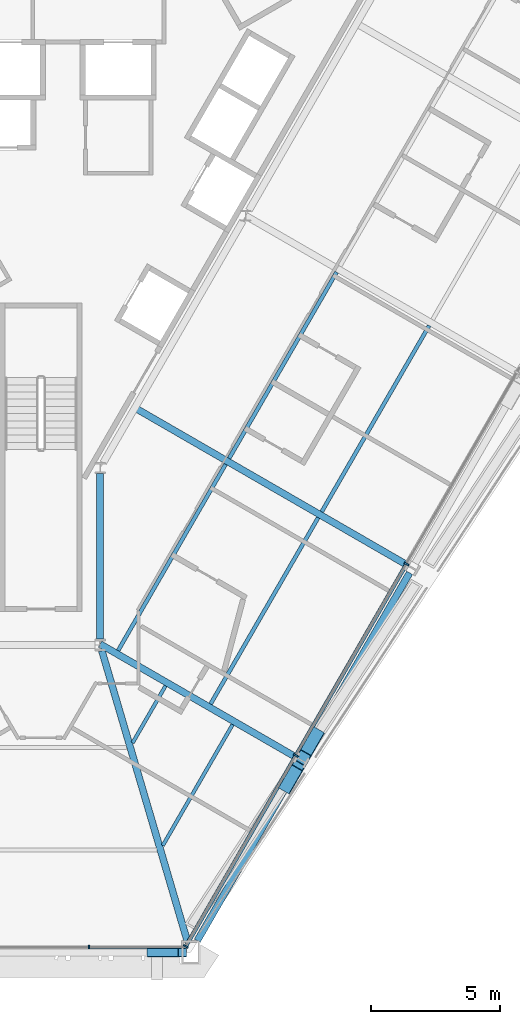
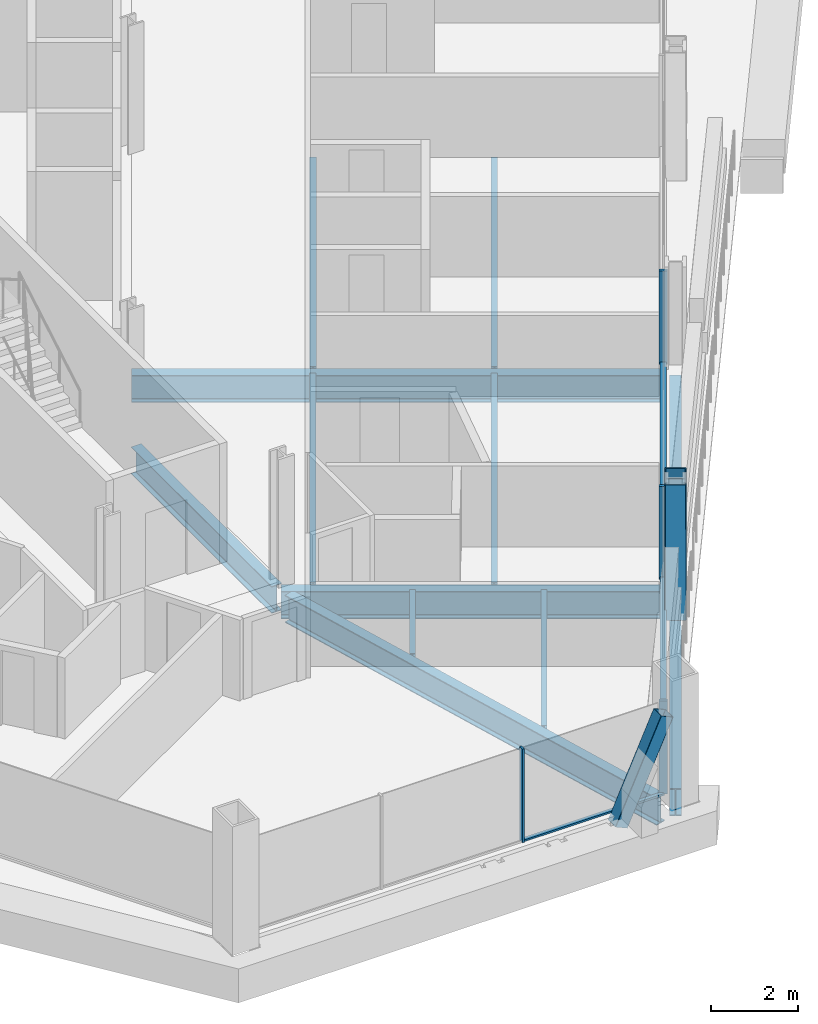
# One storey, part 5 of 18: 12 beams, 10 members, 2 elements without a shape of their own.
"""IFC4 building model written with IfcOpenShell, lengths in metres."""

from ifc_helpers import new_model, si_unit, direction, frame, origin, origin_2d, place, context, subcontext, project, spatial, rectangle, hollow_rectangle, i_section, extrude, material, material_profile, profile_set, type_object, element, aggregate, save


model = new_model("IFC4")

# Units and contexts
model_context = context("Model", 3, precision=1e-05, world=origin(), true_north=direction((0.0, 1.0)))
body_context = subcontext(model_context, "Body", "Model", "MODEL_VIEW")
ifc_project = project(units=[si_unit("LENGTHUNIT", "METRE"), si_unit("AREAUNIT", "SQUARE_METRE"), si_unit("VOLUMEUNIT", "CUBIC_METRE"), si_unit("PLANEANGLEUNIT", "RADIAN"), si_unit("MASSUNIT", "GRAM", prefix="KILO")], contexts=[model_context])

# Site, building, storey
site_placement = place(None, origin())
site = spatial("IfcSite", under=ifc_project, at=site_placement, CompositionType="ELEMENT")
building_placement = place(site_placement, origin())
building = spatial("IfcBuilding", under=site, at=building_placement, Name="Verrane Prism Tower", CompositionType="ELEMENT")
storey_placement = place(building_placement, frame((0.0, 0.0, 83.60009765625)))
storey = spatial("IfcBuildingStorey", under=building, at=storey_placement, Name="L19", CompositionType="ELEMENT", Elevation=83.60009765625)

# Member
ifc_material_1 = material(Name="Steel A500 Grade C", Category="steel")
ifc_material_profile_1 = material_profile(ifc_material_1, hollow_rectangle(XDim=0.355712890625, YDim=0.355712890625, WallThickness=0.0126953125, InnerFilletRadius=0.00634765625, OuterFilletRadius=0.01904296875, at=origin_2d()), Name="HSS14x14x1/2")
ifc_profile_set_1 = profile_set([ifc_material_profile_1], Name="Steel A500 Grade C")
member_type_1 = type_object("IfcMemberType", Name="Chamfer brace HSS14x14x1/2", PredefinedType="BRACE", material=ifc_profile_set_1)
member_1_placement = place(storey_placement, frame((4.291259765625, -33.260009765625, -0.2451171875), z_axis=(0.410154545485, 0.0, 0.912016035395), x_axis=(0.0, 1.0, 0.0)))
element("IfcMember", 1, at=member_1_placement, inside=storey, type_object=member_type_1, Name="Chamfer brace S0 L19", PredefinedType="BRACE", context=body_context, shape_type="SweptSolid", body=[
    extrude(hollow_rectangle(XDim=0.355712890625, YDim=0.355712890625, WallThickness=0.0126953125, InnerFilletRadius=0.00634765625, OuterFilletRadius=0.01904296875, at=origin_2d()), origin(), (0.0, 0.0, 1.0), 2.947021484375),
])

# Beams
ifc_material_2 = material(Name="Steel A992", Category="steel")
ifc_material_profile_2 = material_profile(ifc_material_2, i_section(OverallWidth=0.2666015625, OverallDepth=0.7568359375, WebThickness=0.013916015625, FlangeThickness=0.019287109375, FilletRadius=0.0166015625, at=origin_2d()), Name="W30x108")
ifc_profile_set_2 = profile_set([ifc_material_profile_2], Name="Steel A992")
beam_type_1 = type_object("IfcBeamType", Name="Core ring girder W30x108", PredefinedType="BEAM", material=ifc_profile_set_2)
beam_1_placement = place(storey_placement, frame((2.300048828125, -21.07275390625, -0.628662109375), z_axis=(0.0, 1.0, 0.0), x_axis=(-1.0, 0.0, 0.0)))
element("IfcBeam", 2, at=beam_1_placement, inside=storey, type_object=beam_type_1, Name="Core ring girder L19", PredefinedType="BEAM", context=body_context, shape_type="SweptSolid", body=[
    extrude(i_section(OverallWidth=0.2666015625, OverallDepth=0.7568359375, WebThickness=0.013916015625, FlangeThickness=0.019287109375, FilletRadius=0.0166015625, at=origin_2d()), origin(), (0.0, 0.0, 1.0), 6.4443359375),
])
ifc_material_3 = material(Name="Steel A992", Category="steel")
ifc_material_profile_3 = material_profile(ifc_material_3, i_section(OverallWidth=0.2666015625, OverallDepth=0.76708984375, WebThickness=0.014892578125, FlangeThickness=0.023681640625, FilletRadius=0.0166015625, at=origin_2d()), Name="W30x124")
ifc_profile_set_3 = profile_set([ifc_material_profile_3], Name="Steel A992")
beam_type_2 = type_object("IfcBeamType", Name="Corner girder W30x124", PredefinedType="BEAM", material=ifc_profile_set_3)
beam_2_placement = place(storey_placement, frame((5.6875, -32.809814453125, -0.603515625), z_axis=(-0.282337147907, 0.959315242718, 0.0), x_axis=(-0.959315242718, -0.282337147907, 0.0)))
element("IfcBeam", 3, at=beam_2_placement, inside=storey, type_object=beam_type_2, Name="Corner girder L19", PredefinedType="BEAM", context=body_context, shape_type="SweptSolid", body=[
    extrude(i_section(OverallWidth=0.2666015625, OverallDepth=0.76708984375, WebThickness=0.014892578125, FlangeThickness=0.023681640625, FilletRadius=0.0166015625, at=origin_2d()), origin(), (0.0, 0.0, 1.0), 11.760986328125),
])

# Members
ifc_material_4 = material(Name="Steel A1085 Grade A", Category="steel")
ifc_material_profile_4 = material_profile(ifc_material_4, hollow_rectangle(XDim=0.508056640625, YDim=0.508056640625, WallThickness=0.025390625, InnerFilletRadius=0.0126953125, OuterFilletRadius=0.0380859375, at=origin_2d()), Name="HSS20x20x1")
ifc_profile_set_4 = profile_set([ifc_material_profile_4], Name="Steel A1085 Grade A")
member_type_2 = type_object("IfcMemberType", Name="Facade brace HSS20x20x1", PredefinedType="BRACE", material=ifc_profile_set_4)
member_2_placement = place(storey_placement, frame((9.56396484375, -26.771240234375, -0.24267578125), z_axis=(0.159367501324, 0.275044764359, 0.948130991541), x_axis=(-0.865247457204, 0.501345028701, 0.0)))
element("IfcMember", 4, at=member_2_placement, inside=storey, type_object=member_type_2, Name="Facade brace SE0 L19", PredefinedType="BRACE", context=body_context, shape_type="SweptSolid", body=[
    extrude(hollow_rectangle(XDim=0.508056640625, YDim=0.508056640625, WallThickness=0.025390625, InnerFilletRadius=0.0126953125, OuterFilletRadius=0.0380859375, at=origin_2d()), origin(), (0.0, 0.0, 1.0), 3.2353515625),
])
member_3_placement = place(storey_placement, frame((10.697998046875, -24.806640625, -0.24267578125), z_axis=(-0.157308607487, -0.273534218108, 0.948911499316), x_axis=(0.866870102671, -0.498534076163, 0.0)))
element("IfcMember", 5, at=member_3_placement, inside=storey, type_object=member_type_2, Name="Facade brace SE1 L19", PredefinedType="BRACE", context=body_context, shape_type="SweptSolid", body=[
    extrude(hollow_rectangle(XDim=0.508056640625, YDim=0.508056640625, WallThickness=0.025390625, InnerFilletRadius=0.0126953125, OuterFilletRadius=0.0380859375, at=origin_2d()), origin(), (0.0, 0.0, 1.0), 3.232666015625),
])

# Beams
ifc_material_5 = material(Name="Steel A992", Category="steel")
ifc_material_profile_5 = material_profile(ifc_material_5, i_section(OverallWidth=0.140380859375, OverallDepth=0.40380859375, WebThickness=0.007080078125, FlangeThickness=0.01123046875, FilletRadius=0.01025390625, at=origin_2d()), Name="W16x31")
ifc_profile_set_5 = profile_set([ifc_material_profile_5], Name="Steel A992")
beam_type_3 = type_object("IfcBeamType", Name="Floor beam W16x31", PredefinedType="BEAM", material=ifc_profile_set_5)
beam_3_placement = place(storey_placement, frame((4.73681640625, -29.107177734375, -0.362060546875), z_axis=(0.500003687357, 0.866023274877, 0.0), x_axis=(-0.866023274877, 0.500003687357, 0.0)))
element("IfcBeam", 6, at=beam_3_placement, inside=storey, type_object=beam_type_3, Name="Floor beam L19", PredefinedType="BEAM", context=body_context, shape_type="SweptSolid", body=[
    extrude(i_section(OverallWidth=0.140380859375, OverallDepth=0.40380859375, WebThickness=0.007080078125, FlangeThickness=0.01123046875, FilletRadius=0.01025390625, at=origin_2d()), origin(), (0.0, 0.0, 1.0), 5.435546875),
])
beam_4_placement = place(storey_placement, frame((3.5615234375, -25.11376953125, -0.362060546875), z_axis=(0.500019079056, 0.866014388206, 0.0), x_axis=(-0.866014388206, 0.500019079056, 0.0)))
element("IfcBeam", 7, at=beam_4_placement, inside=storey, type_object=beam_type_3, Name="Floor beam L19", PredefinedType="BEAM", context=body_context, shape_type="SweptSolid", body=[
    extrude(i_section(OverallWidth=0.140380859375, OverallDepth=0.40380859375, WebThickness=0.007080078125, FlangeThickness=0.01123046875, FilletRadius=0.01025390625, at=origin_2d()), origin(), (0.0, 0.0, 1.0), 2.56494140625),
])
ifc_material_6 = material(Name="Steel A992", Category="steel")
ifc_material_profile_6 = material_profile(ifc_material_6, i_section(OverallWidth=0.15234375, OverallDepth=0.449462890625, WebThickness=0.007568359375, FlangeThickness=0.0107421875, FilletRadius=0.01025390625, at=origin_2d()), Name="W18x35")
ifc_profile_set_6 = profile_set([ifc_material_profile_6], Name="Steel A992")
beam_type_4 = type_object("IfcBeamType", Name="Floor beam W18x35", PredefinedType="BEAM", material=ifc_profile_set_6)
beam_5_placement = place(storey_placement, frame((6.598388671875, -23.59716796875, -0.385009765625), z_axis=(0.50000104701, 0.866024799292, 0.0), x_axis=(-0.866024799292, 0.50000104701, 0.0)))
element("IfcBeam", 8, at=beam_5_placement, inside=storey, type_object=beam_type_4, Name="Floor beam L19", PredefinedType="BEAM", context=body_context, shape_type="SweptSolid", body=[
    extrude(i_section(OverallWidth=0.15234375, OverallDepth=0.449462890625, WebThickness=0.007568359375, FlangeThickness=0.0107421875, FilletRadius=0.01025390625, at=origin_2d()), origin(), (0.0, 0.0, 1.0), 8.36962890625),
])
beam_6_placement = place(storey_placement, frame((2.9990234375, -21.519287109375, -0.385009765625), z_axis=(0.499998569178, 0.866026229868, 0.0), x_axis=(-0.866026229868, 0.499998569178, 0.0)))
element("IfcBeam", 9, at=beam_6_placement, inside=storey, type_object=beam_type_4, Name="Floor beam L19", PredefinedType="BEAM", context=body_context, shape_type="SweptSolid", body=[
    extrude(i_section(OverallWidth=0.15234375, OverallDepth=0.449462890625, WebThickness=0.007568359375, FlangeThickness=0.0107421875, FilletRadius=0.01025390625, at=origin_2d()), origin(), (0.0, 0.0, 1.0), 8.3681640625),
])
beam_7_placement = place(storey_placement, frame((10.92041015625, -16.119873046875, -0.385009765625), z_axis=(0.499984359078, 0.866034433887, 0.0), x_axis=(-0.866034433887, 0.499984359078, 0.0)))
element("IfcBeam", 10, at=beam_7_placement, inside=storey, type_object=beam_type_4, Name="Floor beam L19", PredefinedType="BEAM", context=body_context, shape_type="SweptSolid", body=[
    extrude(i_section(OverallWidth=0.15234375, OverallDepth=0.449462890625, WebThickness=0.007568359375, FlangeThickness=0.0107421875, FilletRadius=0.01025390625, at=origin_2d()), origin(), (0.0, 0.0, 1.0), 8.364990234375),
])
beam_8_placement = place(storey_placement, frame((7.318603515625, -14.0419921875, -0.385009765625), z_axis=(0.499989320658, 0.866031569417, 0.0), x_axis=(-0.866031569417, 0.499989320658, 0.0)))
element("IfcBeam", 11, at=beam_8_placement, inside=storey, type_object=beam_type_4, Name="Floor beam L19", PredefinedType="BEAM", context=body_context, shape_type="SweptSolid", body=[
    extrude(i_section(OverallWidth=0.15234375, OverallDepth=0.449462890625, WebThickness=0.007568359375, FlangeThickness=0.0107421875, FilletRadius=0.01025390625, at=origin_2d()), origin(), (0.0, 0.0, 1.0), 8.367919921875),
])

# Curtain wall, member
ifc_material_7 = material(Name="Aluminium framed insulated glazing", Category="aluminium")
curtain_wall_type_1 = type_object("IfcCurtainWallType", Name="Curtain wall CW-C 4200 module", PredefinedType="NOTDEFINED", material=ifc_material_7)
curtain_wall_1_placement = place(storey_placement, origin())
curtain_wall_1 = element("IfcCurtainWall", 12, at=curtain_wall_1_placement, inside=storey, type_object=curtain_wall_type_1, Name="Glazed curtain wall south corner L19", PredefinedType="NOTDEFINED")
ifc_material_8 = material(Name="Aluminium alloy 6063-T6", Category="aluminium")
ifc_material_profile_7 = material_profile(ifc_material_8, rectangle(XDim=0.139892578125, YDim=0.050048828125, at=origin_2d()), Name="Mullion 50x140 aluminium")
ifc_profile_set_7 = profile_set([ifc_material_profile_7], Name="Aluminium alloy 6063-T6")
member_type_3 = type_object("IfcMemberType", Name="Mullion 50x140 aluminium", PredefinedType="MULLION", material=ifc_profile_set_7)
member_4_placement = place(storey_placement, frame((1.871337890625, -33.058349609375, 0.0), z_axis=(0.0, 0.0, 1.0), x_axis=(0.0, 1.0, 0.0)))
member_4 = element("IfcMember", 13, at=member_4_placement, type_object=member_type_3, Name="CW17.5 mullion 3", PredefinedType="MULLION", context=body_context, shape_type="SweptSolid", body=[
    extrude(rectangle(XDim=0.139892578125, YDim=0.050048828125, at=origin_2d()), origin(), (0.0, 0.0, 1.0), 2.61279296875),
])

# Curtain wall, members
ifc_material_9 = material(Name="Aluminium framed insulated glazing", Category="aluminium")
curtain_wall_type_2 = type_object("IfcCurtainWallType", Name="Curtain wall CW-A 8400 module", PredefinedType="NOTDEFINED", material=ifc_material_9)
curtain_wall_2_placement = place(storey_placement, origin())
curtain_wall_2 = element("IfcCurtainWall", 14, at=curtain_wall_2_placement, inside=storey, type_object=curtain_wall_type_2, Name="Glazed curtain wall south-east face L19", PredefinedType="NOTDEFINED")
ifc_material_10 = material(Name="Aluminium alloy 6063-T6", Category="aluminium")
ifc_material_profile_8 = material_profile(ifc_material_10, rectangle(XDim=0.199951171875, YDim=0.070068359375, at=origin_2d()), Name="Mullion 70x200 aluminium")
ifc_profile_set_8 = profile_set([ifc_material_profile_8], Name="Aluminium alloy 6063-T6")
member_type_4 = type_object("IfcMemberType", Name="Mullion 70x200 aluminium", PredefinedType="MULLION", material=ifc_profile_set_8)
member_5_placement = place(storey_placement, frame((5.63134765625, -33.028076171875, 0.0), z_axis=(0.0, 0.0, 1.0), x_axis=(-0.866025845387, 0.499999235121, 0.0)))
member_5 = element("IfcMember", 15, at=member_5_placement, type_object=member_type_4, Name="CW17.6 mullion 1", PredefinedType="MULLION", context=body_context, shape_type="SweptSolid", body=[
    extrude(rectangle(XDim=0.199951171875, YDim=0.070068359375, at=origin_2d()), origin(), (0.0, 0.0, 1.0), 2.61279296875),
])
member_6_placement = place(storey_placement, frame((9.917724609375, -25.60400390625, 0.0), z_axis=(0.0, 0.0, 1.0), x_axis=(-0.866025845387, 0.499999235121, 0.0)))
member_6 = element("IfcMember", 16, at=member_6_placement, type_object=member_type_4, Name="CW17.6 mullion 2", PredefinedType="MULLION", context=body_context, shape_type="SweptSolid", body=[
    extrude(rectangle(XDim=0.199951171875, YDim=0.070068359375, at=origin_2d()), origin(), (0.0, 0.0, 1.0), 2.61279296875),
])
member_7_placement = place(storey_placement, frame((14.221435546875, -18.14990234375, 0.0), z_axis=(0.0, 0.0, 1.0), x_axis=(-0.866025845387, 0.499999235121, 0.0)))
member_7 = element("IfcMember", 17, at=member_7_placement, type_object=member_type_4, Name="CW17.6 mullion 3", PredefinedType="MULLION", context=body_context, shape_type="SweptSolid", body=[
    extrude(rectangle(XDim=0.199951171875, YDim=0.070068359375, at=origin_2d()), origin(), (0.0, 0.0, 1.0), 2.61279296875),
])

# Beams
ifc_material_11 = material(Name="Steel A992", Category="steel")
ifc_material_profile_9 = material_profile(ifc_material_11, i_section(OverallWidth=0.2666015625, OverallDepth=0.76708984375, WebThickness=0.014892578125, FlangeThickness=0.023681640625, FilletRadius=0.0166015625, at=origin_2d()), Name="W30x124")
ifc_profile_set_9 = profile_set([ifc_material_profile_9], Name="Steel A992")
beam_type_5 = type_object("IfcBeamType", Name="Radial girder W30x124", PredefinedType="BEAM", material=ifc_profile_set_9)
beam_9_placement = place(storey_placement, frame((9.914306640625, -25.66552734375, -0.603515625), z_axis=(-0.866018191792, 0.50001249133, 0.0), x_axis=(-0.50001249133, -0.866018191792, 0.0)))
element("IfcBeam", 18, at=beam_9_placement, inside=storey, type_object=beam_type_5, Name="Radial girder L19", PredefinedType="BEAM", context=body_context, shape_type="SweptSolid", body=[
    extrude(i_section(OverallWidth=0.2666015625, OverallDepth=0.76708984375, WebThickness=0.014892578125, FlangeThickness=0.023681640625, FilletRadius=0.0166015625, at=origin_2d()), origin(), (0.0, 0.0, 1.0), 8.792236328125),
])
beam_10_placement = place(storey_placement, frame((14.234375, -18.185546875, -0.603515625), z_axis=(-0.866019871926, 0.500009581338, 0.0), x_axis=(-0.500009581338, -0.866019871926, 0.0)))
element("IfcBeam", 19, at=beam_10_placement, inside=storey, type_object=beam_type_5, Name="Radial girder L19", PredefinedType="BEAM", context=body_context, shape_type="SweptSolid", body=[
    extrude(i_section(OverallWidth=0.2666015625, OverallDepth=0.76708984375, WebThickness=0.014892578125, FlangeThickness=0.023681640625, FilletRadius=0.0166015625, at=origin_2d()), origin(), (0.0, 0.0, 1.0), 12.218017578125),
])
ifc_material_12 = material(Name="Steel A992", Category="steel")
ifc_material_profile_10 = material_profile(ifc_material_12, i_section(OverallWidth=0.2666015625, OverallDepth=0.7568359375, WebThickness=0.013916015625, FlangeThickness=0.019287109375, FilletRadius=0.0166015625, at=origin_2d()), Name="W30x108")
ifc_profile_set_10 = profile_set([ifc_material_profile_10], Name="Steel A992")
beam_type_6 = type_object("IfcBeamType", Name="Spandrel beam W30x108", PredefinedType="SPANDREL", material=ifc_profile_set_10)
beam_11_placement = place(storey_placement, frame((6.07958984375, -32.81005859375, -0.53857421875), z_axis=(0.499770677184, 0.866157762897, 0.0), x_axis=(-0.866157762897, 0.499770677184, 0.0)))
element("IfcBeam", 20, at=beam_11_placement, inside=storey, type_object=beam_type_6, Name="Spandrel beam L19", PredefinedType="SPANDREL", context=body_context, shape_type="SweptSolid", body=[
    extrude(i_section(OverallWidth=0.2666015625, OverallDepth=0.7568359375, WebThickness=0.013916015625, FlangeThickness=0.019287109375, FilletRadius=0.0166015625, at=origin_2d()), origin(), (0.0, 0.0, 1.0), 7.888916015625),
])
beam_12_placement = place(storey_placement, frame((10.238037109375, -25.60302734375, -0.53857421875), z_axis=(0.500125912756, 0.865952695816, 0.0), x_axis=(-0.865952695816, 0.500125912756, 0.0)))
element("IfcBeam", 21, at=beam_12_placement, inside=storey, type_object=beam_type_6, Name="Spandrel beam L19", PredefinedType="SPANDREL", context=body_context, shape_type="SweptSolid", body=[
    extrude(i_section(OverallWidth=0.2666015625, OverallDepth=0.7568359375, WebThickness=0.013916015625, FlangeThickness=0.019287109375, FilletRadius=0.0166015625, at=origin_2d()), origin(), (0.0, 0.0, 1.0), 8.2060546875),
])

# Member
ifc_material_13 = material(Name="Aluminium alloy 6063-T6", Category="aluminium")
ifc_material_profile_11 = material_profile(ifc_material_13, rectangle(XDim=0.10009765625, YDim=0.050048828125, at=origin_2d()), Name="Transom 50x100 aluminium")
ifc_profile_set_11 = profile_set([ifc_material_profile_11], Name="Aluminium alloy 6063-T6")
member_type_5 = type_object("IfcMemberType", Name="Transom 50x100 aluminium", PredefinedType="USERDEFINED", material=ifc_profile_set_11)
member_8_placement = place(storey_placement, frame((1.896240234375, -33.058349609375, 0.02490234375), z_axis=(1.0, 0.0, 0.0), x_axis=(0.0, 1.0, 0.0)))
member_8 = element("IfcMember", 22, at=member_8_placement, type_object=member_type_5, Name="CW17.5 transom 3", ObjectType="TRANSOM", PredefinedType="USERDEFINED", context=body_context, shape_type="SweptSolid", body=[
    extrude(rectangle(XDim=0.10009765625, YDim=0.050048828125, at=origin_2d()), origin(), (0.0, 0.0, 1.0), 3.7177734375),
])

aggregate(curtain_wall_1, [member_4, member_8])

ifc_material_14 = material(Name="Aluminium alloy 6063-T6", Category="aluminium")
ifc_material_profile_12 = material_profile(ifc_material_14, rectangle(XDim=0.14990234375, YDim=0.070068359375, at=origin_2d()), Name="Transom 70x150 aluminium")
ifc_profile_set_12 = profile_set([ifc_material_profile_12], Name="Aluminium alloy 6063-T6")
member_type_6 = type_object("IfcMemberType", Name="Transom 70x150 aluminium", PredefinedType="USERDEFINED", material=ifc_profile_set_12)
member_9_placement = place(storey_placement, frame((5.64892578125, -32.997802734375, 0.034912109375), z_axis=(0.500002495586, 0.866023962952, 0.0), x_axis=(-0.866023962952, 0.500002495586, 0.0)))
member_9 = element("IfcMember", 23, at=member_9_placement, type_object=member_type_6, Name="CW17.6 transom 1", ObjectType="TRANSOM", PredefinedType="USERDEFINED", context=body_context, shape_type="SweptSolid", body=[
    extrude(rectangle(XDim=0.14990234375, YDim=0.070068359375, at=origin_2d()), origin(), (0.0, 0.0, 1.0), 8.50244140625),
])

member_10_placement = place(storey_placement, frame((9.93505859375, -25.57373046875, 0.034912109375), z_axis=(0.50001124802, 0.866018909639, 0.0), x_axis=(-0.866018909639, 0.50001124802, 0.0)))
member_10 = element("IfcMember", 24, at=member_10_placement, type_object=member_type_6, Name="CW17.6 transom 2", ObjectType="TRANSOM", PredefinedType="USERDEFINED", context=body_context, shape_type="SweptSolid", body=[
    extrude(rectangle(XDim=0.14990234375, YDim=0.070068359375, at=origin_2d()), origin(), (0.0, 0.0, 1.0), 8.537353515625),
])

aggregate(curtain_wall_2, [member_5, member_6, member_7, member_9, member_10])

save(model, "model.ifc")
